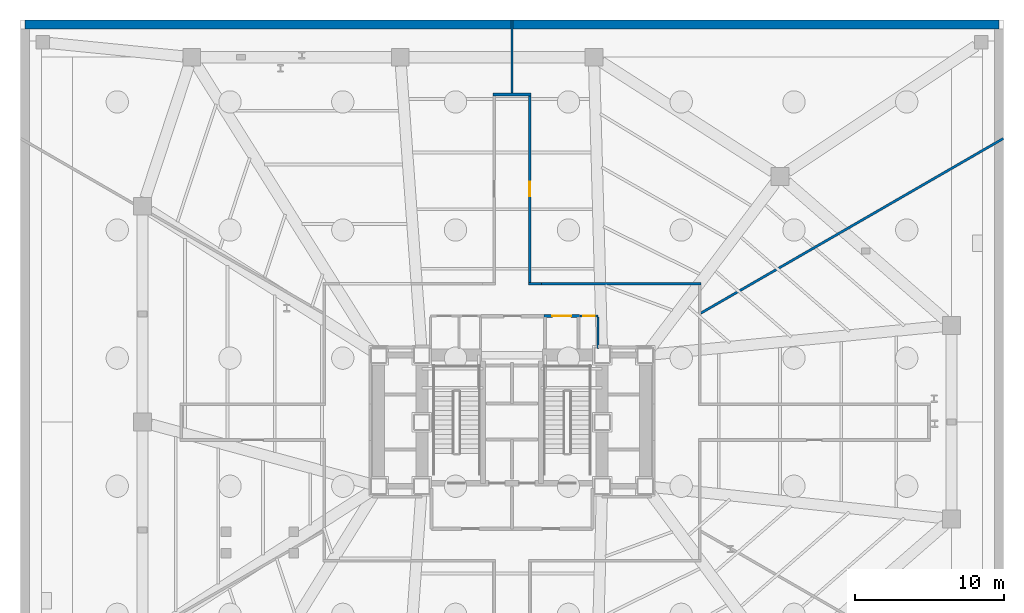
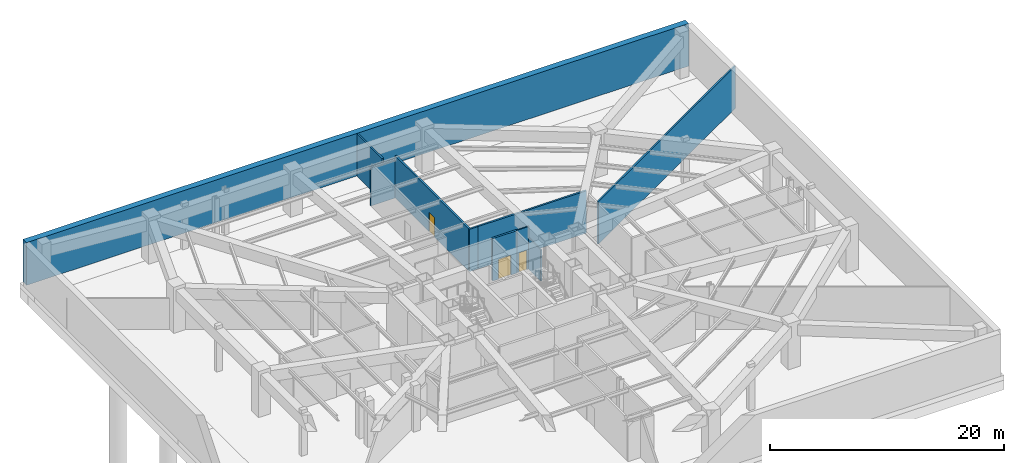
# One storey, part 5 of 7: 10 walls, 3 doors, 3 openings.
"""IFC4 building model written with IfcOpenShell, lengths in metres."""

from ifc_helpers import new_model, si_unit, direction, frame, frame_2d, origin, place, context, subcontext, project, spatial, rectangle, extrude, material, layer, layer_set, type_object, element, fill, save


model = new_model("IFC4")

# Units and contexts
model_context = context("Model", 3, precision=1e-05, world=origin(), true_north=direction((0.0, 1.0)))
body_context = subcontext(model_context, "Body", "Model", "MODEL_VIEW")
ifc_project = project(units=[si_unit("LENGTHUNIT", "METRE"), si_unit("AREAUNIT", "SQUARE_METRE"), si_unit("VOLUMEUNIT", "CUBIC_METRE"), si_unit("PLANEANGLEUNIT", "RADIAN"), si_unit("MASSUNIT", "GRAM", prefix="KILO")], contexts=[model_context])

# Site, building, storey
site_placement = place(None, origin())
site = spatial("IfcSite", under=ifc_project, at=site_placement, CompositionType="ELEMENT")
building_placement = place(site_placement, origin())
building = spatial("IfcBuilding", under=site, at=building_placement, Name="Rocaltana Carrier Exchange", CompositionType="ELEMENT")
storey_placement = place(building_placement, frame((0.0, 0.0, -9.60009765625)))
storey = spatial("IfcBuildingStorey", under=building, at=storey_placement, Name="Lower Basement", CompositionType="ELEMENT", Elevation=-9.60009765625)

# Walls
ifc_material_1 = material(Name="Double Acoustic Gypsum Partition", Category="gypsum")
ifc_layer_1 = layer(ifc_material_1, 0.159912109375)
ifc_layer_set_1 = layer_set([ifc_layer_1], Name="Double Acoustic Gypsum Partition")
wall_type_1 = type_object("IfcWallType", Name="Acoustic Studio Partition 160 EI60", PredefinedType="PARTITIONING", material=ifc_layer_set_1)
wall_1_placement = place(storey_placement, frame((12.679931640625, 7.32080078125, 0.0), z_axis=(0.0, 0.0, 1.0), x_axis=(0.866024362014, 0.500001804394, 0.0)))
element("IfcWall", 1, at=wall_1_placement, inside=storey, type_object=wall_type_1, Name="Lower Basement Suite Divider Wall D4", PredefinedType="PARTITIONING", context=body_context, shape_type="SweptSolid", body=[
    extrude(rectangle(XDim=23.4521484375, YDim=0.159912109375, at=frame_2d((11.72607421875, 0.0))), origin(), (0.0, 0.0, 1.0), 4.423095703125),
])
wall_2_placement = place(storey_placement, frame((0.0, 22.080078125, 0.0), z_axis=(0.0, 0.0, 1.0), x_axis=(0.0, 1.0, 0.0)))
element("IfcWall", 2, at=wall_2_placement, inside=storey, type_object=wall_type_1, Name="Lower Basement Suite Divider Wall D5", PredefinedType="PARTITIONING", context=body_context, shape_type="SweptSolid", body=[
    extrude(rectangle(XDim=4.909912109375, YDim=0.159912109375, at=frame_2d((2.455078125, 0.0))), origin(), (0.0, 0.0, 1.0), 4.423095703125),
])
ifc_material_2 = material(Name="Concrete C50/60", Category="concrete")
ifc_layer_2 = layer(ifc_material_2, 0.60009765625)
ifc_layer_set_2 = layer_set([ifc_layer_2], Name="Concrete C50/60")
wall_type_2 = type_object("IfcWallType", Name="Basement Diaphragm Wall 600", PredefinedType="SOLIDWALL", material=ifc_layer_set_2)
wall_3_placement = place(storey_placement, frame((-32.699951171875, 26.699951171875, 0.0), z_axis=(0.0, 0.0, 1.0), x_axis=(1.0, 0.0, 0.0)))
element("IfcWall", 3, at=wall_3_placement, inside=storey, type_object=wall_type_2, Name="Lower Basement Diaphragm Wall RW-N", PredefinedType="SOLIDWALL", context=body_context, shape_type="SweptSolid", body=[
    extrude(rectangle(XDim=65.39990234375, YDim=0.60009765625, at=frame_2d((32.699951171875, 0.0))), origin(), (0.0, 0.0, 1.0), 4.447998046875),
])
ifc_material_3 = material(Name="Gypsum & Steel Stud Partition", Category="steel")
ifc_layer_3 = layer(ifc_material_3, 0.179931640625)
ifc_layer_set_3 = layer_set([ifc_layer_3], Name="Gypsum & Steel Stud Partition")
wall_type_3 = type_object("IfcWallType", Name="Corridor Fire Partition 180 EI60", PredefinedType="PARTITIONING", material=ifc_layer_set_3)
wall_4_placement = place(storey_placement, frame((-1.2900390625, 22.0, 0.0), z_axis=(0.0, 0.0, 1.0), x_axis=(1.0, 0.0, 0.0)))
element("IfcWall", 4, at=wall_4_placement, inside=storey, type_object=wall_type_3, Name="Lower Basement Corridor Partition 6", PredefinedType="PARTITIONING", context=body_context, shape_type="SweptSolid", body=[
    extrude(rectangle(XDim=2.580078125, YDim=0.179931640625, at=frame_2d((1.2900390625, 0.0))), origin(), (0.0, 0.0, 1.0), 3.989990234375),
])

# Wall, opening, door
wall_5_placement = place(storey_placement, frame((1.199951171875, 21.909912109375, 0.0), z_axis=(0.0, 0.0, 1.0), x_axis=(0.0, -1.0, 0.0)))
wall_5 = element("IfcWall", 5, at=wall_5_placement, inside=storey, type_object=wall_type_3, Name="Lower Basement Corridor Partition 7", PredefinedType="PARTITIONING", context=body_context, shape_type="SweptSolid", body=[
    extrude(rectangle(XDim=12.52001953125, YDim=0.179931640625, at=frame_2d((6.260009765625, 0.0))), origin(), (0.0, 0.0, 1.0), 4.423095703125),
])
opening_1_placement = place(wall_5_placement, frame((5.780029296875, 0.0, 0.0)))
opening_1 = element("IfcOpeningElement", 6, at=opening_1_placement, cuts=wall_5, Name="Opening D-RM098", PredefinedType="OPENING", context=body_context, shape_type="SweptSolid", body=[
    extrude(rectangle(XDim=0.9599609375, YDim=2.02001953125, at=frame_2d((0.47998046875, 1.010009765625))), frame((0.0, 0.099853515625, 0.0), z_axis=(0.0, -1.0, 0.0), x_axis=(1.0, 0.0, 0.0)), (0.0, 0.0, 1.0), 0.199951171875),
])
ifc_material_4 = material(Name="Engineered Hardwood Timber", Category="wood")
door_type_1 = type_object("IfcDoorType", Name="Workspace Single Door 960x2020", OperationType="NOTDEFINED", PredefinedType="DOOR", material=ifc_material_4)
door_1_placement = place(opening_1_placement, origin())
door_1 = element("IfcDoor", 7, at=door_1_placement, inside=storey, type_object=door_type_1, Name="Lower Basement Incoming Fibre Meet-Me Vault Entrance Door", OperationType="SINGLE_SWING_LEFT", OverallHeight=2.02001953125, OverallWidth=0.9599609375, PredefinedType="DOOR", context=body_context, shape_type="SweptSolid", body=[
    extrude(rectangle(XDim=0.9599609375, YDim=2.02001953125, at=frame_2d((0.47998046875, 1.010009765625))), frame((0.0, 0.02490234375, 0.0), z_axis=(0.0, -1.0, 0.0), x_axis=(1.0, 0.0, 0.0)), (0.0, 0.0, 1.0), 0.050048828125),
])
fill(opening_1, door_1)

# Walls
wall_6_placement = place(storey_placement, frame((1.110107421875, 9.300048828125, 0.0), z_axis=(0.0, 0.0, 1.0), x_axis=(1.0, 0.0, 0.0)))
element("IfcWall", 8, at=wall_6_placement, inside=storey, type_object=wall_type_3, Name="Lower Basement Corridor Partition 8", PredefinedType="PARTITIONING", context=body_context, shape_type="SweptSolid", body=[
    extrude(rectangle(XDim=0.85986328125, YDim=0.179931640625, at=frame_2d((0.429931640625, 0.0))), origin(), (0.0, 0.0, 1.0), 4.423095703125),
])
wall_7_placement = place(storey_placement, frame((1.929931640625, 9.300048828125, 0.0), z_axis=(0.0, 0.0, 1.0), x_axis=(1.0, 0.0, 0.0)))
element("IfcWall", 9, at=wall_7_placement, inside=storey, type_object=wall_type_3, Name="Lower Basement Corridor Partition 9", PredefinedType="PARTITIONING", context=body_context, shape_type="SweptSolid", body=[
    extrude(rectangle(XDim=10.760009765625, YDim=0.179931640625, at=frame_2d((5.3798828125, 0.0))), origin(), (0.0, 0.0, 1.0), 4.423095703125),
])

# Wall, opening, door
ifc_material_5 = material(Name="Reinforced Concrete Block C35/45", Category="concrete")
ifc_layer_4 = layer(ifc_material_5, 0.199951171875)
ifc_layer_set_4 = layer_set([ifc_layer_4], Name="Reinforced Concrete Block C35/45")
wall_type_4 = type_object("IfcWallType", Name="Lift Hoistway Enclosure Wall 200 EI120", PredefinedType="PARTITIONING", material=ifc_layer_set_4)
wall_8_placement = place(storey_placement, frame((2.14990234375, 7.1201171875, 0.0), z_axis=(0.0, 0.0, 1.0), x_axis=(1.0, 0.0, 0.0)))
wall_8 = element("IfcWall", 10, at=wall_8_placement, inside=storey, type_object=wall_type_4, Name="Lower Basement Goods Lift Front Wall", PredefinedType="PARTITIONING", context=body_context, shape_type="SweptSolid", body=[
    extrude(rectangle(XDim=2.380126953125, YDim=0.199951171875, at=frame_2d((1.18994140625, 0.0))), origin(), (0.0, 0.0, 1.0), 4.423095703125),
])
opening_2_placement = place(wall_8_placement, frame((0.56005859375, 0.0, 0.0)))
opening_2 = element("IfcOpeningElement", 11, at=opening_2_placement, cuts=wall_8, Name="Opening LD-130", PredefinedType="OPENING", context=body_context, shape_type="SweptSolid", body=[
    extrude(rectangle(XDim=1.260009765625, YDim=2.06005859375, at=frame_2d((0.6298828125, 1.030029296875))), frame((0.0, 0.10986328125, 0.0), z_axis=(0.0, -1.0, 0.0), x_axis=(1.0, 0.0, 0.0)), (0.0, 0.0, 1.0), 0.219970703125),
])
ifc_material_6 = material(Name="Brushed Stainless Sliding Door Leaf", Category="steel")
door_type_2 = type_object("IfcDoorType", Name="Goods Lift Landing Sliding Door 1260x2060", OperationType="NOTDEFINED", PredefinedType="DOOR", material=ifc_material_6)
door_2_placement = place(opening_2_placement, origin())
door_2 = element("IfcDoor", 12, at=door_2_placement, inside=storey, type_object=door_type_2, Name="Lower Basement Goods Lift GL-1 Landing Door", OperationType="SLIDING_TO_LEFT", OverallHeight=2.06005859375, OverallWidth=1.260009765625, PredefinedType="DOOR", context=body_context, shape_type="SweptSolid", body=[
    extrude(rectangle(XDim=1.260009765625, YDim=2.06005859375, at=frame_2d((0.6298828125, 1.030029296875))), frame((0.0, 0.02490234375, 0.0), z_axis=(0.0, -1.0, 0.0), x_axis=(1.0, 0.0, 0.0)), (0.0, 0.0, 1.0), 0.050048828125),
])
fill(opening_2, door_2)

# Wall
ifc_material_7 = material(Name="Moisture-Resistant Masonry C30/37", Category="masonry")
ifc_layer_5 = layer(ifc_material_7, 0.139892578125)
ifc_layer_set_5 = layer_set([ifc_layer_5], Name="Moisture-Resistant Masonry C30/37")
wall_type_5 = type_object("IfcWallType", Name="Wet-Area Sanitary Partition 140", PredefinedType="PARTITIONING", material=ifc_layer_set_5)
wall_9_placement = place(storey_placement, frame((5.760009765625, 4.949951171875, 0.0), z_axis=(0.0, 0.0, 1.0), x_axis=(0.0, 1.0, 0.0)))
element("IfcWall", 13, at=wall_9_placement, inside=storey, type_object=wall_type_5, Name="Lower Basement Riser East Wall", PredefinedType="PARTITIONING", context=body_context, shape_type="SweptSolid", body=[
    extrude(rectangle(XDim=2.10009765625, YDim=0.139892578125, at=frame_2d((1.050048828125, 0.0))), origin(), (0.0, 0.0, 1.0), 3.253173828125),
])

# Wall, opening, door
wall_10_placement = place(storey_placement, frame((4.56005859375, 7.1201171875, 0.0), z_axis=(0.0, 0.0, 1.0), x_axis=(1.0, 0.0, 0.0)))
wall_10 = element("IfcWall", 14, at=wall_10_placement, inside=storey, type_object=wall_type_5, Name="Lower Basement Riser North Wall", PredefinedType="PARTITIONING", context=body_context, shape_type="SweptSolid", body=[
    extrude(rectangle(XDim=1.199951171875, YDim=0.139892578125, at=frame_2d((0.60009765625, 0.0))), origin(), (0.0, 0.0, 1.0), 4.423095703125),
])
opening_3_placement = place(wall_10_placement, frame((0.2099609375, 0.0, 0.0)))
opening_3 = element("IfcOpeningElement", 15, at=opening_3_placement, cuts=wall_10, Name="Opening D-RS082", PredefinedType="OPENING", context=body_context, shape_type="SweptSolid", body=[
    extrude(rectangle(XDim=0.780029296875, YDim=2.010009765625, at=frame_2d((0.39013671875, 1.0048828125))), frame((0.0, 0.079833984375, 0.0), z_axis=(0.0, -1.0, 0.0), x_axis=(1.0, 0.0, 0.0)), (0.0, 0.0, 1.0), 0.159912109375),
])
ifc_material_8 = material(Name="Hollow Metal Access Door Leaf", Category="steel")
door_type_3 = type_object("IfcDoorType", Name="Riser & Service Closet Door 780x2010", OperationType="NOTDEFINED", PredefinedType="DOOR", material=ifc_material_8)
door_3_placement = place(opening_3_placement, origin())
door_3 = element("IfcDoor", 16, at=door_3_placement, inside=storey, type_object=door_type_3, Name="Lower Basement Fibre Riser Closet Door", OperationType="SINGLE_SWING_RIGHT", OverallHeight=2.010009765625, OverallWidth=0.780029296875, PredefinedType="DOOR", context=body_context, shape_type="SweptSolid", body=[
    extrude(rectangle(XDim=0.780029296875, YDim=2.010009765625, at=frame_2d((0.39013671875, 1.0048828125))), frame((0.0, 0.02490234375, 0.0), z_axis=(0.0, -1.0, 0.0), x_axis=(1.0, 0.0, 0.0)), (0.0, 0.0, 1.0), 0.050048828125),
])
fill(opening_3, door_3)

save(model, "model.ifc")
